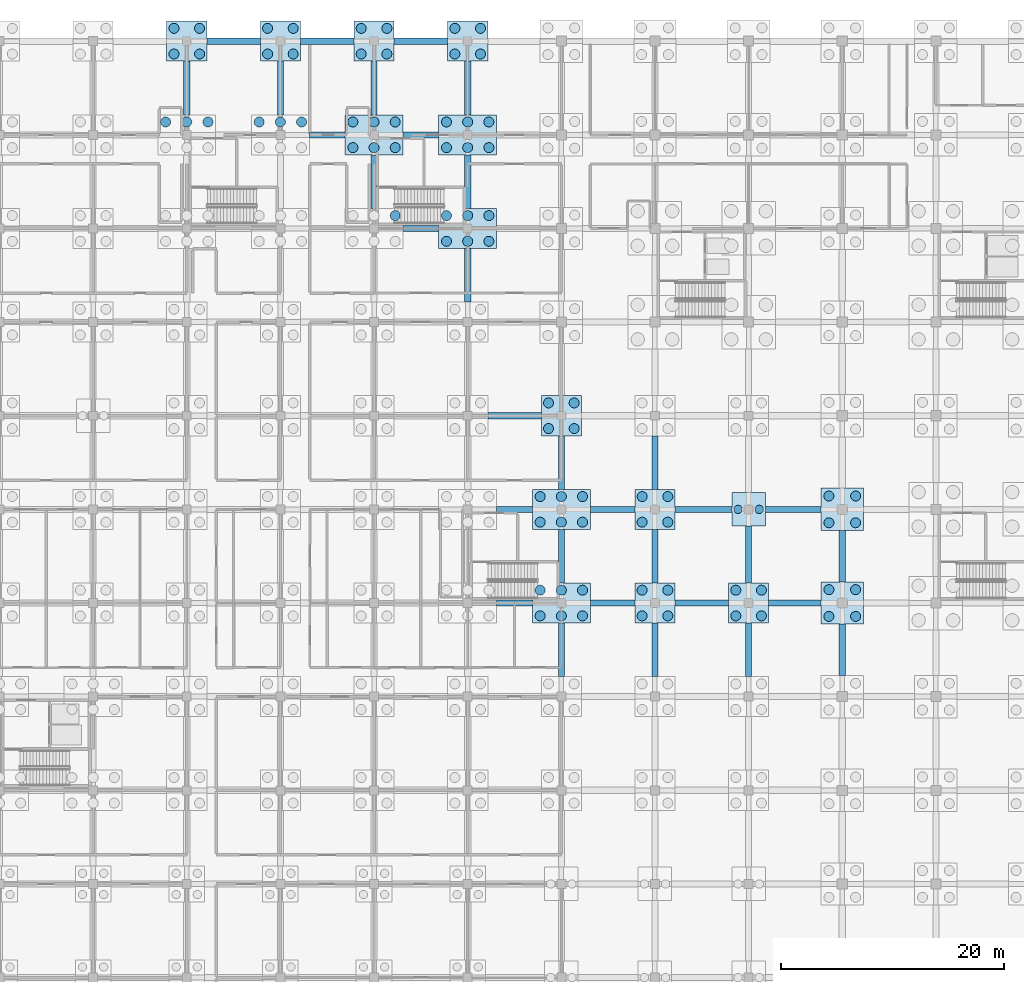
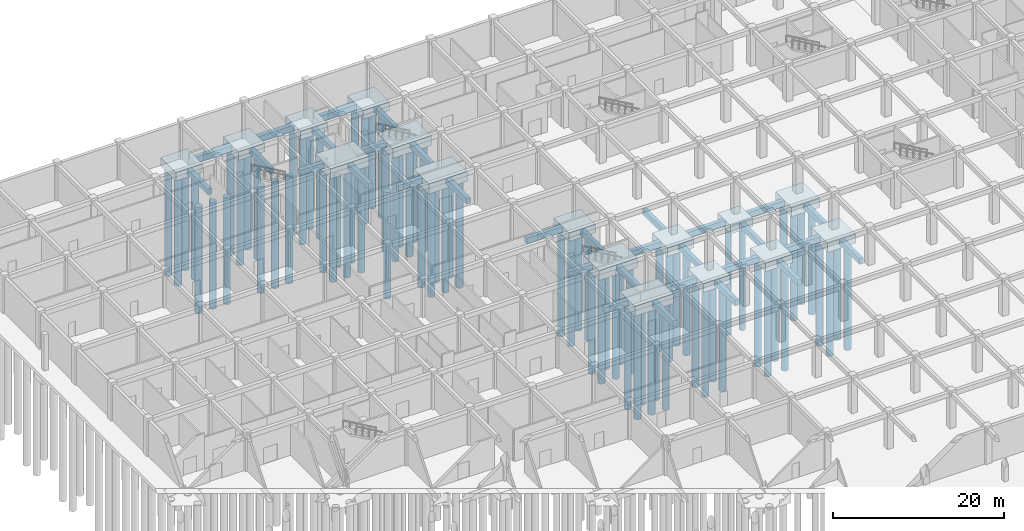
# One storey, part 9 of 65: 79 piles, 48 footings.
"""IFC4 building model written with IfcOpenShell, lengths in metres."""

from ifc_helpers import new_model, si_unit, direction, frame, origin, origin_2d, place, context, subcontext, project, spatial, rectangle, circle, extrude, material, material_profile, profile_set, type_object, element, save


model = new_model("IFC4")

# Units and contexts
model_context = context("Model", 3, precision=1e-05, world=origin(), true_north=direction((0.0, 1.0)))
body_context = subcontext(model_context, "Body", "Model", "MODEL_VIEW")
ifc_project = project(units=[si_unit("LENGTHUNIT", "METRE"), si_unit("AREAUNIT", "SQUARE_METRE"), si_unit("VOLUMEUNIT", "CUBIC_METRE"), si_unit("PLANEANGLEUNIT", "RADIAN"), si_unit("MASSUNIT", "GRAM", prefix="KILO")], contexts=[model_context])

# Site, building, storey
site_placement = place(None, origin())
site = spatial("IfcSite", under=ifc_project, at=site_placement, CompositionType="ELEMENT")
building_placement = place(site_placement, origin())
building = spatial("IfcBuilding", under=site, at=building_placement, Name="Bramfleet General Hospital", CompositionType="ELEMENT")
storey_placement = place(building_placement, frame((0.0, 0.0, -5.39990234375)))
storey = spatial("IfcBuildingStorey", under=building, at=storey_placement, Name="B1", CompositionType="ELEMENT", Elevation=-5.39990234375)

# Footings
ifc_material = material(Name="Concrete C35/45", Category="concrete")
ifc_material_profile_1 = material_profile(ifc_material, rectangle(XDim=0.550048828125, YDim=0.800048828125, at=origin_2d()), Name="RC FB 800x550")
ifc_profile_set_1 = profile_set([ifc_material_profile_1], Name="Concrete C35/45")
footing_type_1 = type_object("IfcFootingType", Name="FTG-FB-01", PredefinedType="FOOTING_BEAM", material=ifc_profile_set_1)
footing_1_placement = place(storey_placement, frame((33.60009765625, 111.0, -0.900146484375), z_axis=(0.0, 1.0, 0.0), x_axis=(-1.0, 0.0, 0.0)))
element("IfcFooting", 1, at=footing_1_placement, inside=storey, type_object=footing_type_1, Name="Foundation Tie Beam Y 04-13", PredefinedType="FOOTING_BEAM", context=body_context, shape_type="SweptSolid", body=[
    extrude(rectangle(XDim=0.550048828125, YDim=0.800048828125, at=origin_2d()), origin(), (0.0, 0.0, 1.0), 4.800048828125),
])
footing_2_placement = place(storey_placement, frame((44.60009765625, 109.199951171875, -0.900146484375), z_axis=(1.0, 0.0, 0.0), x_axis=(0.0, 1.0, 0.0)))
element("IfcFooting", 2, at=footing_2_placement, inside=storey, type_object=footing_type_1, Name="Foundation Tie Beam X 05-13", PredefinedType="FOOTING_BEAM", context=body_context, shape_type="SweptSolid", body=[
    extrude(rectangle(XDim=0.550048828125, YDim=0.800048828125, at=origin_2d()), origin(), (0.0, 0.0, 1.0), 3.199951171875),
])
footing_3_placement = place(storey_placement, frame((42.0, 111.0, -0.900146484375), z_axis=(0.0, 1.0, 0.0), x_axis=(-1.0, 0.0, 0.0)))
element("IfcFooting", 3, at=footing_3_placement, inside=storey, type_object=footing_type_1, Name="Foundation Tie Beam Y 05-13", PredefinedType="FOOTING_BEAM", context=body_context, shape_type="SweptSolid", body=[
    extrude(rectangle(XDim=0.550048828125, YDim=0.800048828125, at=origin_2d()), origin(), (0.0, 0.0, 1.0), 4.800048828125),
])
footing_4_placement = place(storey_placement, frame((53.0, 100.800048828125, -0.900146484375), z_axis=(1.0, 0.0, 0.0), x_axis=(0.0, 1.0, 0.0)))
element("IfcFooting", 4, at=footing_4_placement, inside=storey, type_object=footing_type_1, Name="Foundation Tie Beam X 06-12", PredefinedType="FOOTING_BEAM", context=body_context, shape_type="SweptSolid", body=[
    extrude(rectangle(XDim=0.550048828125, YDim=0.800048828125, at=origin_2d()), origin(), (0.0, 0.0, 1.0), 3.199951171875),
])
footing_5_placement = place(storey_placement, frame((50.39990234375, 102.60009765625, -0.900146484375), z_axis=(0.0, 1.0, 0.0), x_axis=(-1.0, 0.0, 0.0)))
element("IfcFooting", 5, at=footing_5_placement, inside=storey, type_object=footing_type_1, Name="Foundation Tie Beam Y 06-12", PredefinedType="FOOTING_BEAM", context=body_context, shape_type="SweptSolid", body=[
    extrude(rectangle(XDim=0.550048828125, YDim=0.800048828125, at=origin_2d()), origin(), (0.0, 0.0, 1.0), 4.7998046875),
])
footing_6_placement = place(storey_placement, frame((53.0, 109.199951171875, -0.900146484375), z_axis=(1.0, 0.0, 0.0), x_axis=(0.0, 1.0, 0.0)))
element("IfcFooting", 6, at=footing_6_placement, inside=storey, type_object=footing_type_1, Name="Foundation Tie Beam X 06-13", PredefinedType="FOOTING_BEAM", context=body_context, shape_type="SweptSolid", body=[
    extrude(rectangle(XDim=0.550048828125, YDim=0.800048828125, at=origin_2d()), origin(), (0.0, 0.0, 1.0), 3.199951171875),
])
footing_7_placement = place(storey_placement, frame((50.39990234375, 111.0, -0.900146484375), z_axis=(0.0, 1.0, 0.0), x_axis=(-1.0, 0.0, 0.0)))
element("IfcFooting", 7, at=footing_7_placement, inside=storey, type_object=footing_type_1, Name="Foundation Tie Beam Y 06-13", PredefinedType="FOOTING_BEAM", context=body_context, shape_type="SweptSolid", body=[
    extrude(rectangle(XDim=0.550048828125, YDim=0.800048828125, at=origin_2d()), origin(), (0.0, 0.0, 1.0), 4.800048828125),
])
for number, where, z_axis, x_axis, name in (
    (8, (61.39990234375, 67.199951171875, -0.900146484375), (1.0, 0.0, 0.0), (0.0, 1.0, 0.0), "Foundation Tie Beam X 07-08"),
    (9, (61.39990234375, 75.60009765625, -0.900146484375), (1.0, 0.0, 0.0), (0.0, 1.0, 0.0), "Foundation Tie Beam X 07-09"),
):
    element("IfcFooting", number, at=place(storey_placement, frame(where, z_axis=z_axis, x_axis=x_axis)), inside=storey, type_object=footing_type_1, Name=name, PredefinedType="FOOTING_BEAM", context=body_context, shape_type="SweptSolid", body=[
        extrude(rectangle(XDim=0.550048828125, YDim=0.800048828125, at=origin_2d()), origin(), (0.0, 0.0, 1.0), 3.2001953125),
    ])
footing_8_placement = place(storey_placement, frame((60.60009765625, 84.0, -0.900146484375), z_axis=(1.0, 0.0, 0.0), x_axis=(0.0, 1.0, 0.0)))
element("IfcFooting", 10, at=footing_8_placement, inside=storey, type_object=footing_type_1, Name="Foundation Tie Beam X 07-10", PredefinedType="FOOTING_BEAM", context=body_context, shape_type="SweptSolid", body=[
    extrude(rectangle(XDim=0.550048828125, YDim=0.800048828125, at=origin_2d()), origin(), (0.0, 0.0, 1.0), 4.7998046875),
])
footing_9_placement = place(storey_placement, frame((58.800048828125, 94.199951171875, -0.900146484375), z_axis=(0.0, 1.0, 0.0), x_axis=(-1.0, 0.0, 0.0)))
element("IfcFooting", 11, at=footing_9_placement, inside=storey, type_object=footing_type_1, Name="Foundation Tie Beam Y 07-11", PredefinedType="FOOTING_BEAM", context=body_context, shape_type="SweptSolid", body=[
    extrude(rectangle(XDim=0.550048828125, YDim=0.800048828125, at=origin_2d()), origin(), (0.0, 0.0, 1.0), 4.800048828125),
])
footing_10_placement = place(storey_placement, frame((58.800048828125, 102.60009765625, -0.900146484375), z_axis=(0.0, 1.0, 0.0), x_axis=(-1.0, 0.0, 0.0)))
element("IfcFooting", 12, at=footing_10_placement, inside=storey, type_object=footing_type_1, Name="Foundation Tie Beam Y 07-12", PredefinedType="FOOTING_BEAM", context=body_context, shape_type="SweptSolid", body=[
    extrude(rectangle(XDim=0.550048828125, YDim=0.800048828125, at=origin_2d()), origin(), (0.0, 0.0, 1.0), 4.7998046875),
])
footing_11_placement = place(storey_placement, frame((58.800048828125, 111.0, -0.900146484375), z_axis=(0.0, 1.0, 0.0), x_axis=(-1.0, 0.0, 0.0)))
element("IfcFooting", 13, at=footing_11_placement, inside=storey, type_object=footing_type_1, Name="Foundation Tie Beam Y 07-13", PredefinedType="FOOTING_BEAM", context=body_context, shape_type="SweptSolid", body=[
    extrude(rectangle(XDim=0.550048828125, YDim=0.800048828125, at=origin_2d()), origin(), (0.0, 0.0, 1.0), 4.800048828125),
])
footing_12_placement = place(storey_placement, frame((67.199951171875, 60.60009765625, -0.900146484375), z_axis=(0.0, 1.0, 0.0), x_axis=(-1.0, 0.0, 0.0)))
element("IfcFooting", 14, at=footing_12_placement, inside=storey, type_object=footing_type_1, Name="Foundation Tie Beam Y 08-07", PredefinedType="FOOTING_BEAM", context=body_context, shape_type="SweptSolid", body=[
    extrude(rectangle(XDim=0.550048828125, YDim=0.800048828125, at=origin_2d()), origin(), (0.0, 0.0, 1.0), 4.7998046875),
])
footing_13_placement = place(storey_placement, frame((69.800048828125, 67.199951171875, -0.900146484375), z_axis=(1.0, 0.0, 0.0), x_axis=(0.0, 1.0, 0.0)))
element("IfcFooting", 15, at=footing_13_placement, inside=storey, type_object=footing_type_1, Name="Foundation Tie Beam X 08-08", PredefinedType="FOOTING_BEAM", context=body_context, shape_type="SweptSolid", body=[
    extrude(rectangle(XDim=0.550048828125, YDim=0.800048828125, at=origin_2d()), origin(), (0.0, 0.0, 1.0), 4.0),
])
footing_14_placement = place(storey_placement, frame((67.199951171875, 69.0, -0.900146484375), z_axis=(0.0, 1.0, 0.0), x_axis=(-1.0, 0.0, 0.0)))
element("IfcFooting", 16, at=footing_14_placement, inside=storey, type_object=footing_type_1, Name="Foundation Tie Beam Y 08-08", PredefinedType="FOOTING_BEAM", context=body_context, shape_type="SweptSolid", body=[
    extrude(rectangle(XDim=0.550048828125, YDim=0.800048828125, at=origin_2d()), origin(), (0.0, 0.0, 1.0), 4.800048828125),
])
footing_15_placement = place(storey_placement, frame((69.800048828125, 75.60009765625, -0.900146484375), z_axis=(1.0, 0.0, 0.0), x_axis=(0.0, 1.0, 0.0)))
element("IfcFooting", 17, at=footing_15_placement, inside=storey, type_object=footing_type_1, Name="Foundation Tie Beam X 08-09", PredefinedType="FOOTING_BEAM", context=body_context, shape_type="SweptSolid", body=[
    extrude(rectangle(XDim=0.550048828125, YDim=0.800048828125, at=origin_2d()), origin(), (0.0, 0.0, 1.0), 4.0),
])
footing_16_placement = place(storey_placement, frame((67.199951171875, 77.39990234375, -0.900146484375), z_axis=(0.0, 1.0, 0.0), x_axis=(-1.0, 0.0, 0.0)))
element("IfcFooting", 18, at=footing_16_placement, inside=storey, type_object=footing_type_1, Name="Foundation Tie Beam Y 08-09", PredefinedType="FOOTING_BEAM", context=body_context, shape_type="SweptSolid", body=[
    extrude(rectangle(XDim=0.550048828125, YDim=0.800048828125, at=origin_2d()), origin(), (0.0, 0.0, 1.0), 4.800048828125),
])
footing_17_placement = place(storey_placement, frame((75.60009765625, 60.60009765625, -0.900146484375), z_axis=(0.0, 1.0, 0.0), x_axis=(-1.0, 0.0, 0.0)))
element("IfcFooting", 19, at=footing_17_placement, inside=storey, type_object=footing_type_1, Name="Foundation Tie Beam Y 09-07", PredefinedType="FOOTING_BEAM", context=body_context, shape_type="SweptSolid", body=[
    extrude(rectangle(XDim=0.550048828125, YDim=0.800048828125, at=origin_2d()), origin(), (0.0, 0.0, 1.0), 4.7998046875),
])
for number, where, z_axis, x_axis, name in (
    (20, (77.39990234375, 67.199951171875, -0.900146484375), (1.0, 0.0, 0.0), (0.0, 1.0, 0.0), "Foundation Tie Beam X 09-08"),
    (21, (75.60009765625, 69.0, -0.900146484375), (0.0, 1.0, 0.0), (-1.0, 0.0, 0.0), "Foundation Tie Beam Y 09-08"),
):
    element("IfcFooting", number, at=place(storey_placement, frame(where, z_axis=z_axis, x_axis=x_axis)), inside=storey, type_object=footing_type_1, Name=name, PredefinedType="FOOTING_BEAM", context=body_context, shape_type="SweptSolid", body=[
        extrude(rectangle(XDim=0.550048828125, YDim=0.800048828125, at=origin_2d()), origin(), (0.0, 0.0, 1.0), 4.800048828125),
    ])
footing_18_placement = place(storey_placement, frame((77.39990234375, 75.60009765625, -0.900146484375), z_axis=(1.0, 0.0, 0.0), x_axis=(0.0, 1.0, 0.0)))
element("IfcFooting", 22, at=footing_18_placement, inside=storey, type_object=footing_type_1, Name="Foundation Tie Beam X 09-09", PredefinedType="FOOTING_BEAM", context=body_context, shape_type="SweptSolid", body=[
    extrude(rectangle(XDim=0.550048828125, YDim=0.800048828125, at=origin_2d()), origin(), (0.0, 0.0, 1.0), 5.10009765625),
])
footing_19_placement = place(storey_placement, frame((75.60009765625, 77.39990234375, -0.900146484375), z_axis=(0.0, 1.0, 0.0), x_axis=(-1.0, 0.0, 0.0)))
element("IfcFooting", 23, at=footing_19_placement, inside=storey, type_object=footing_type_1, Name="Foundation Tie Beam Y 09-09", PredefinedType="FOOTING_BEAM", context=body_context, shape_type="SweptSolid", body=[
    extrude(rectangle(XDim=0.550048828125, YDim=0.800048828125, at=origin_2d()), origin(), (0.0, 0.0, 1.0), 4.800048828125),
])
footing_20_placement = place(storey_placement, frame((84.0, 60.60009765625, -0.900146484375), z_axis=(0.0, 1.0, 0.0), x_axis=(-1.0, 0.0, 0.0)))
element("IfcFooting", 24, at=footing_20_placement, inside=storey, type_object=footing_type_1, Name="Foundation Tie Beam Y 10-07", PredefinedType="FOOTING_BEAM", context=body_context, shape_type="SweptSolid", body=[
    extrude(rectangle(XDim=0.550048828125, YDim=0.800048828125, at=origin_2d()), origin(), (0.0, 0.0, 1.0), 4.7998046875),
])
footing_21_placement = place(storey_placement, frame((85.800048828125, 67.199951171875, -0.900146484375), z_axis=(1.0, 0.0, 0.0), x_axis=(0.0, 1.0, 0.0)))
element("IfcFooting", 25, at=footing_21_placement, inside=storey, type_object=footing_type_1, Name="Foundation Tie Beam X 10-08", PredefinedType="FOOTING_BEAM", context=body_context, shape_type="SweptSolid", body=[
    extrude(rectangle(XDim=0.550048828125, YDim=0.800048828125, at=origin_2d()), origin(), (0.0, 0.0, 1.0), 4.699951171875),
])
footing_22_placement = place(storey_placement, frame((84.0, 69.0, -0.900146484375), z_axis=(0.0, 1.0, 0.0), x_axis=(-1.0, 0.0, 0.0)))
element("IfcFooting", 26, at=footing_22_placement, inside=storey, type_object=footing_type_1, Name="Foundation Tie Beam Y 10-08", PredefinedType="FOOTING_BEAM", context=body_context, shape_type="SweptSolid", body=[
    extrude(rectangle(XDim=0.550048828125, YDim=0.800048828125, at=origin_2d()), origin(), (0.0, 0.0, 1.0), 5.10009765625),
])
footing_23_placement = place(storey_placement, frame((85.5, 75.60009765625, -0.900146484375), z_axis=(1.0, 0.0, 0.0), x_axis=(0.0, 1.0, 0.0)))
element("IfcFooting", 27, at=footing_23_placement, inside=storey, type_object=footing_type_1, Name="Foundation Tie Beam X 10-09", PredefinedType="FOOTING_BEAM", context=body_context, shape_type="SweptSolid", body=[
    extrude(rectangle(XDim=0.550048828125, YDim=0.800048828125, at=origin_2d()), origin(), (0.0, 0.0, 1.0), 5.0),
])
footing_24_placement = place(storey_placement, frame((92.39990234375, 60.699951171875, -0.900146484375), z_axis=(0.0, 1.0, 0.0), x_axis=(-1.0, 0.0, 0.0)))
element("IfcFooting", 28, at=footing_24_placement, inside=storey, type_object=footing_type_1, Name="Foundation Tie Beam Y 11-07", PredefinedType="FOOTING_BEAM", context=body_context, shape_type="SweptSolid", body=[
    extrude(rectangle(XDim=0.550048828125, YDim=0.800048828125, at=origin_2d()), origin(), (0.0, 0.0, 1.0), 4.60009765625),
])
footing_25_placement = place(storey_placement, frame((92.39990234375, 69.10009765625, -0.900146484375), z_axis=(0.0, 1.0, 0.0), x_axis=(-1.0, 0.0, 0.0)))
element("IfcFooting", 29, at=footing_25_placement, inside=storey, type_object=footing_type_1, Name="Foundation Tie Beam Y 11-08", PredefinedType="FOOTING_BEAM", context=body_context, shape_type="SweptSolid", body=[
    extrude(rectangle(XDim=0.550048828125, YDim=0.800048828125, at=origin_2d()), origin(), (0.0, 0.0, 1.0), 4.599853515625),
])
ifc_material_profile_2 = material_profile(ifc_material, rectangle(XDim=0.60009765625, YDim=0.89990234375, at=origin_2d()), Name="RC FB 900x600")
ifc_profile_set_2 = profile_set([ifc_material_profile_2], Name="Concrete C35/45")
footing_type_2 = type_object("IfcFootingType", Name="FTG-FB-02", PredefinedType="FOOTING_BEAM", material=ifc_profile_set_2)
for number, where, z_axis, x_axis, name in (
    (30, (35.39990234375, 117.60009765625, -0.9501953125), (1.0, 0.0, 0.0), (0.0, 1.0, 0.0), "Foundation Tie Beam X 04-14"),
    (31, (43.800048828125, 117.60009765625, -0.9501953125), (1.0, 0.0, 0.0), (0.0, 1.0, 0.0), "Foundation Tie Beam X 05-14"),
    (32, (52.199951171875, 117.60009765625, -0.9501953125), (1.0, 0.0, 0.0), (0.0, 1.0, 0.0), "Foundation Tie Beam X 06-14"),
):
    element("IfcFooting", number, at=place(storey_placement, frame(where, z_axis=z_axis, x_axis=x_axis)), inside=storey, type_object=footing_type_2, Name=name, PredefinedType="FOOTING_BEAM", context=body_context, shape_type="SweptSolid", body=[
        extrude(rectangle(XDim=0.60009765625, YDim=0.89990234375, at=origin_2d()), origin(), (0.0, 0.0, 1.0), 4.800048828125),
    ])
footing_type_3 = type_object("IfcFootingType", Name="FTG-PC-01", PredefinedType="PILE_CAP", material=ifc_material)
footing_26_placement = place(storey_placement, frame((84.0, 75.60009765625, -1.7001953125), z_axis=(0.0, 0.0, 1.0), x_axis=(1.0, 0.0, 0.0)))
element("IfcFooting", 33, at=footing_26_placement, inside=storey, type_object=footing_type_3, Name="Pile Cap FTG-B1-10-09", PredefinedType="PILE_CAP", context=body_context, shape_type="SweptSolid", body=[
    extrude(rectangle(XDim=3.0, YDim=3.0, at=origin_2d()), origin(), (0.0, 0.0, 1.0), 1.199951171875),
])
footing_type_4 = type_object("IfcFootingType", Name="FTG-PC-03", PredefinedType="PILE_CAP", material=ifc_material)
for number, where, z_axis, x_axis, name in (
    (34, (33.60009765625, 117.60009765625, -1.7001953125), (0.0, 0.0, 1.0), (1.0, 0.0, 0.0), "Pile Cap FTG-B1-04-14"),
    (35, (42.0, 117.60009765625, -1.7001953125), (0.0, 0.0, 1.0), (1.0, 0.0, 0.0), "Pile Cap FTG-B1-05-14"),
    (36, (50.39990234375, 117.60009765625, -1.7001953125), (0.0, 0.0, 1.0), (1.0, 0.0, 0.0), "Pile Cap FTG-B1-06-14"),
    (37, (58.800048828125, 117.60009765625, -1.7001953125), (0.0, 0.0, 1.0), (1.0, 0.0, 0.0), "Pile Cap FTG-B1-07-14"),
    (38, (67.199951171875, 84.0, -1.7001953125), (0.0, 0.0, 1.0), (1.0, 0.0, 0.0), "Pile Cap FTG-B1-08-10"),
    (39, (75.60009765625, 67.199951171875, -1.7001953125), (0.0, 0.0, 1.0), (1.0, 0.0, 0.0), "Pile Cap FTG-B1-09-08"),
    (40, (75.60009765625, 75.60009765625, -1.7001953125), (0.0, 0.0, 1.0), (1.0, 0.0, 0.0), "Pile Cap FTG-B1-09-09"),
    (41, (84.0, 67.199951171875, -1.7001953125), (0.0, 0.0, 1.0), (1.0, 0.0, 0.0), "Pile Cap FTG-B1-10-08"),
):
    element("IfcFooting", number, at=place(storey_placement, frame(where, z_axis=z_axis, x_axis=x_axis)), inside=storey, type_object=footing_type_4, Name=name, PredefinedType="PILE_CAP", context=body_context, shape_type="SweptSolid", body=[
        extrude(rectangle(XDim=3.60009765625, YDim=3.60009765625, at=origin_2d()), origin(), (0.0, 0.0, 1.0), 1.199951171875),
    ])
footing_type_5 = type_object("IfcFootingType", Name="FTG-PC-04", PredefinedType="PILE_CAP", material=ifc_material)
for number, where, z_axis, x_axis, name in (
    (42, (92.39990234375, 67.199951171875, -1.80029296875), (0.0, 0.0, 1.0), (1.0, 0.0, 0.0), "Pile Cap FTG-B1-11-08"),
    (43, (92.39990234375, 75.60009765625, -1.80029296875), (0.0, 0.0, 1.0), (1.0, 0.0, 0.0), "Pile Cap FTG-B1-11-09"),
):
    element("IfcFooting", number, at=place(storey_placement, frame(where, z_axis=z_axis, x_axis=x_axis)), inside=storey, type_object=footing_type_5, Name=name, PredefinedType="PILE_CAP", context=body_context, shape_type="SweptSolid", body=[
        extrude(rectangle(XDim=3.800048828125, YDim=3.800048828125, at=origin_2d()), origin(), (0.0, 0.0, 1.0), 1.300048828125),
    ])
footing_type_6 = type_object("IfcFootingType", Name="FTG-PC-06", PredefinedType="PILE_CAP", material=ifc_material)
for number, where, z_axis, x_axis, name in (
    (44, (50.39990234375, 109.199951171875, -1.900146484375), (0.0, 0.0, 1.0), (1.0, 0.0, 0.0), "Pile Cap FTG-B1-06-13"),
    (45, (58.800048828125, 100.800048828125, -1.900146484375), (0.0, 0.0, 1.0), (1.0, 0.0, 0.0), "Pile Cap FTG-B1-07-12"),
    (46, (58.800048828125, 109.199951171875, -1.900146484375), (0.0, 0.0, 1.0), (1.0, 0.0, 0.0), "Pile Cap FTG-B1-07-13"),
    (47, (67.199951171875, 67.199951171875, -1.900146484375), (0.0, 0.0, 1.0), (1.0, 0.0, 0.0), "Pile Cap FTG-B1-08-08"),
    (48, (67.199951171875, 75.60009765625, -1.900146484375), (0.0, 0.0, 1.0), (1.0, 0.0, 0.0), "Pile Cap FTG-B1-08-09"),
):
    element("IfcFooting", number, at=place(storey_placement, frame(where, z_axis=z_axis, x_axis=x_axis)), inside=storey, type_object=footing_type_6, Name=name, PredefinedType="PILE_CAP", context=body_context, shape_type="SweptSolid", body=[
        extrude(rectangle(XDim=5.199951171875, YDim=3.60009765625, at=origin_2d()), origin(), (0.0, 0.0, 1.0), 1.39990234375),
    ])

# Piles
ifc_material_profile_3 = material_profile(ifc_material, circle(Radius=0.375, at=origin_2d()), Name="PILE BORED D750")
ifc_profile_set_3 = profile_set([ifc_material_profile_3], Name="Concrete C35/45")
pile_type_1 = type_object("IfcPileType", Name="PILE-D750", PredefinedType="BORED", material=ifc_profile_set_3)
for number, where, z_axis, x_axis, name in (
    (49, (83.050048828125, 75.60009765625, -1.60009765625), (0.0, 0.0, -1.0), (1.0, 0.0, 0.0), "Bored Pile PILE-B1-10-09-1"),
    (50, (84.949951171875, 75.60009765625, -1.60009765625), (0.0, 0.0, -1.0), (1.0, 0.0, 0.0), "Bored Pile PILE-B1-10-09-2"),
):
    element("IfcPile", number, at=place(storey_placement, frame(where, z_axis=z_axis, x_axis=x_axis)), inside=storey, type_object=pile_type_1, Name=name, PredefinedType="BORED", context=body_context, shape_type="SweptSolid", body=[
        extrude(circle(Radius=0.375, at=origin_2d()), origin(), (0.0, 0.0, 1.0), 15.39990234375),
    ])
ifc_material_profile_4 = material_profile(ifc_material, circle(Radius=0.449951171875, at=origin_2d()), Name="PILE BORED D900")
ifc_profile_set_4 = profile_set([ifc_material_profile_4], Name="Concrete C35/45")
pile_type_2 = type_object("IfcPileType", Name="PILE-D900", PredefinedType="BORED", material=ifc_profile_set_4)
for number, where, z_axis, x_axis, name in (
    (51, (31.699951171875, 110.35009765625, -1.800048828125), (0.0, 0.0, -1.0), (1.0, 0.0, 0.0), "Bored Pile PILE-B1-04-13-4"),
    (52, (33.60009765625, 110.35009765625, -1.800048828125), (0.0, 0.0, -1.0), (1.0, 0.0, 0.0), "Bored Pile PILE-B1-04-13-5"),
    (53, (35.5, 110.35009765625, -1.800048828125), (0.0, 0.0, -1.0), (1.0, 0.0, 0.0), "Bored Pile PILE-B1-04-13-6"),
):
    element("IfcPile", number, at=place(storey_placement, frame(where, z_axis=z_axis, x_axis=x_axis)), inside=storey, type_object=pile_type_2, Name=name, PredefinedType="BORED", context=body_context, shape_type="SweptSolid", body=[
        extrude(circle(Radius=0.449951171875, at=origin_2d()), origin(), (0.0, 0.0, 1.0), 15.199951171875),
    ])
for number, where, z_axis, x_axis, name in (
    (54, (32.449951171875, 116.449951171875, -1.60009765625), (0.0, 0.0, -1.0), (1.0, 0.0, 0.0), "Bored Pile PILE-B1-04-14-1"),
    (55, (34.75, 116.449951171875, -1.60009765625), (0.0, 0.0, -1.0), (1.0, 0.0, 0.0), "Bored Pile PILE-B1-04-14-2"),
    (56, (32.449951171875, 118.75, -1.60009765625), (0.0, 0.0, -1.0), (1.0, 0.0, 0.0), "Bored Pile PILE-B1-04-14-3"),
    (57, (34.75, 118.75, -1.60009765625), (0.0, 0.0, -1.0), (1.0, 0.0, 0.0), "Bored Pile PILE-B1-04-14-4"),
):
    element("IfcPile", number, at=place(storey_placement, frame(where, z_axis=z_axis, x_axis=x_axis)), inside=storey, type_object=pile_type_2, Name=name, PredefinedType="BORED", context=body_context, shape_type="SweptSolid", body=[
        extrude(circle(Radius=0.449951171875, at=origin_2d()), origin(), (0.0, 0.0, 1.0), 15.39990234375),
    ])
for number, where, z_axis, x_axis, name in (
    (58, (40.10009765625, 110.35009765625, -1.800048828125), (0.0, 0.0, -1.0), (1.0, 0.0, 0.0), "Bored Pile PILE-B1-05-13-4"),
    (59, (42.0, 110.35009765625, -1.800048828125), (0.0, 0.0, -1.0), (1.0, 0.0, 0.0), "Bored Pile PILE-B1-05-13-5"),
    (60, (43.89990234375, 110.35009765625, -1.800048828125), (0.0, 0.0, -1.0), (1.0, 0.0, 0.0), "Bored Pile PILE-B1-05-13-6"),
):
    element("IfcPile", number, at=place(storey_placement, frame(where, z_axis=z_axis, x_axis=x_axis)), inside=storey, type_object=pile_type_2, Name=name, PredefinedType="BORED", context=body_context, shape_type="SweptSolid", body=[
        extrude(circle(Radius=0.449951171875, at=origin_2d()), origin(), (0.0, 0.0, 1.0), 15.199951171875),
    ])
for number, where, z_axis, x_axis, name in (
    (61, (40.85009765625, 116.449951171875, -1.60009765625), (0.0, 0.0, -1.0), (1.0, 0.0, 0.0), "Bored Pile PILE-B1-05-14-1"),
    (62, (43.14990234375, 116.449951171875, -1.60009765625), (0.0, 0.0, -1.0), (1.0, 0.0, 0.0), "Bored Pile PILE-B1-05-14-2"),
    (63, (40.85009765625, 118.75, -1.60009765625), (0.0, 0.0, -1.0), (1.0, 0.0, 0.0), "Bored Pile PILE-B1-05-14-3"),
    (64, (43.14990234375, 118.75, -1.60009765625), (0.0, 0.0, -1.0), (1.0, 0.0, 0.0), "Bored Pile PILE-B1-05-14-4"),
):
    element("IfcPile", number, at=place(storey_placement, frame(where, z_axis=z_axis, x_axis=x_axis)), inside=storey, type_object=pile_type_2, Name=name, PredefinedType="BORED", context=body_context, shape_type="SweptSolid", body=[
        extrude(circle(Radius=0.449951171875, at=origin_2d()), origin(), (0.0, 0.0, 1.0), 15.39990234375),
    ])
for number, where, z_axis, x_axis, name in (
    (65, (52.300048828125, 101.949951171875, -1.800048828125), (0.0, 0.0, -1.0), (1.0, 0.0, 0.0), "Bored Pile PILE-B1-06-12-6"),
    (66, (48.5, 108.050048828125, -1.800048828125), (0.0, 0.0, -1.0), (1.0, 0.0, 0.0), "Bored Pile PILE-B1-06-13-1"),
    (67, (50.39990234375, 108.050048828125, -1.800048828125), (0.0, 0.0, -1.0), (1.0, 0.0, 0.0), "Bored Pile PILE-B1-06-13-2"),
    (68, (52.300048828125, 108.050048828125, -1.800048828125), (0.0, 0.0, -1.0), (1.0, 0.0, 0.0), "Bored Pile PILE-B1-06-13-3"),
    (69, (48.5, 110.35009765625, -1.800048828125), (0.0, 0.0, -1.0), (1.0, 0.0, 0.0), "Bored Pile PILE-B1-06-13-4"),
    (70, (50.39990234375, 110.35009765625, -1.800048828125), (0.0, 0.0, -1.0), (1.0, 0.0, 0.0), "Bored Pile PILE-B1-06-13-5"),
    (71, (52.300048828125, 110.35009765625, -1.800048828125), (0.0, 0.0, -1.0), (1.0, 0.0, 0.0), "Bored Pile PILE-B1-06-13-6"),
):
    element("IfcPile", number, at=place(storey_placement, frame(where, z_axis=z_axis, x_axis=x_axis)), inside=storey, type_object=pile_type_2, Name=name, PredefinedType="BORED", context=body_context, shape_type="SweptSolid", body=[
        extrude(circle(Radius=0.449951171875, at=origin_2d()), origin(), (0.0, 0.0, 1.0), 15.199951171875),
    ])
for number, where, z_axis, x_axis, name in (
    (72, (49.25, 116.449951171875, -1.60009765625), (0.0, 0.0, -1.0), (1.0, 0.0, 0.0), "Bored Pile PILE-B1-06-14-1"),
    (73, (51.550048828125, 116.449951171875, -1.60009765625), (0.0, 0.0, -1.0), (1.0, 0.0, 0.0), "Bored Pile PILE-B1-06-14-2"),
    (74, (49.25, 118.75, -1.60009765625), (0.0, 0.0, -1.0), (1.0, 0.0, 0.0), "Bored Pile PILE-B1-06-14-3"),
    (75, (51.550048828125, 118.75, -1.60009765625), (0.0, 0.0, -1.0), (1.0, 0.0, 0.0), "Bored Pile PILE-B1-06-14-4"),
):
    element("IfcPile", number, at=place(storey_placement, frame(where, z_axis=z_axis, x_axis=x_axis)), inside=storey, type_object=pile_type_2, Name=name, PredefinedType="BORED", context=body_context, shape_type="SweptSolid", body=[
        extrude(circle(Radius=0.449951171875, at=origin_2d()), origin(), (0.0, 0.0, 1.0), 15.39990234375),
    ])
for number, where, z_axis, x_axis, name in (
    (76, (56.89990234375, 99.64990234375, -1.800048828125), (0.0, 0.0, -1.0), (1.0, 0.0, 0.0), "Bored Pile PILE-B1-07-12-1"),
    (77, (58.800048828125, 99.64990234375, -1.800048828125), (0.0, 0.0, -1.0), (1.0, 0.0, 0.0), "Bored Pile PILE-B1-07-12-2"),
    (78, (60.699951171875, 99.64990234375, -1.800048828125), (0.0, 0.0, -1.0), (1.0, 0.0, 0.0), "Bored Pile PILE-B1-07-12-3"),
    (79, (56.89990234375, 101.949951171875, -1.800048828125), (0.0, 0.0, -1.0), (1.0, 0.0, 0.0), "Bored Pile PILE-B1-07-12-4"),
    (80, (58.800048828125, 101.949951171875, -1.800048828125), (0.0, 0.0, -1.0), (1.0, 0.0, 0.0), "Bored Pile PILE-B1-07-12-5"),
    (81, (60.699951171875, 101.949951171875, -1.800048828125), (0.0, 0.0, -1.0), (1.0, 0.0, 0.0), "Bored Pile PILE-B1-07-12-6"),
    (82, (56.89990234375, 108.050048828125, -1.800048828125), (0.0, 0.0, -1.0), (1.0, 0.0, 0.0), "Bored Pile PILE-B1-07-13-1"),
    (83, (58.800048828125, 108.050048828125, -1.800048828125), (0.0, 0.0, -1.0), (1.0, 0.0, 0.0), "Bored Pile PILE-B1-07-13-2"),
    (84, (60.699951171875, 108.050048828125, -1.800048828125), (0.0, 0.0, -1.0), (1.0, 0.0, 0.0), "Bored Pile PILE-B1-07-13-3"),
    (85, (56.89990234375, 110.35009765625, -1.800048828125), (0.0, 0.0, -1.0), (1.0, 0.0, 0.0), "Bored Pile PILE-B1-07-13-4"),
    (86, (58.800048828125, 110.35009765625, -1.800048828125), (0.0, 0.0, -1.0), (1.0, 0.0, 0.0), "Bored Pile PILE-B1-07-13-5"),
    (87, (60.699951171875, 110.35009765625, -1.800048828125), (0.0, 0.0, -1.0), (1.0, 0.0, 0.0), "Bored Pile PILE-B1-07-13-6"),
):
    element("IfcPile", number, at=place(storey_placement, frame(where, z_axis=z_axis, x_axis=x_axis)), inside=storey, type_object=pile_type_2, Name=name, PredefinedType="BORED", context=body_context, shape_type="SweptSolid", body=[
        extrude(circle(Radius=0.449951171875, at=origin_2d()), origin(), (0.0, 0.0, 1.0), 15.199951171875),
    ])
for number, where, z_axis, x_axis, name in (
    (88, (57.64990234375, 116.449951171875, -1.60009765625), (0.0, 0.0, -1.0), (1.0, 0.0, 0.0), "Bored Pile PILE-B1-07-14-1"),
    (89, (59.949951171875, 116.449951171875, -1.60009765625), (0.0, 0.0, -1.0), (1.0, 0.0, 0.0), "Bored Pile PILE-B1-07-14-2"),
    (90, (57.64990234375, 118.75, -1.60009765625), (0.0, 0.0, -1.0), (1.0, 0.0, 0.0), "Bored Pile PILE-B1-07-14-3"),
    (91, (59.949951171875, 118.75, -1.60009765625), (0.0, 0.0, -1.0), (1.0, 0.0, 0.0), "Bored Pile PILE-B1-07-14-4"),
):
    element("IfcPile", number, at=place(storey_placement, frame(where, z_axis=z_axis, x_axis=x_axis)), inside=storey, type_object=pile_type_2, Name=name, PredefinedType="BORED", context=body_context, shape_type="SweptSolid", body=[
        extrude(circle(Radius=0.449951171875, at=origin_2d()), origin(), (0.0, 0.0, 1.0), 15.39990234375),
    ])
for number, where, z_axis, x_axis, name in (
    (92, (65.300048828125, 66.050048828125, -1.800048828125), (0.0, 0.0, -1.0), (1.0, 0.0, 0.0), "Bored Pile PILE-B1-08-08-1"),
    (93, (67.199951171875, 66.050048828125, -1.800048828125), (0.0, 0.0, -1.0), (1.0, 0.0, 0.0), "Bored Pile PILE-B1-08-08-2"),
    (94, (69.10009765625, 66.050048828125, -1.800048828125), (0.0, 0.0, -1.0), (1.0, 0.0, 0.0), "Bored Pile PILE-B1-08-08-3"),
    (95, (65.300048828125, 68.35009765625, -1.800048828125), (0.0, 0.0, -1.0), (1.0, 0.0, 0.0), "Bored Pile PILE-B1-08-08-4"),
    (96, (67.199951171875, 68.35009765625, -1.800048828125), (0.0, 0.0, -1.0), (1.0, 0.0, 0.0), "Bored Pile PILE-B1-08-08-5"),
    (97, (69.10009765625, 68.35009765625, -1.800048828125), (0.0, 0.0, -1.0), (1.0, 0.0, 0.0), "Bored Pile PILE-B1-08-08-6"),
    (98, (65.300048828125, 74.449951171875, -1.800048828125), (0.0, 0.0, -1.0), (1.0, 0.0, 0.0), "Bored Pile PILE-B1-08-09-1"),
    (99, (67.199951171875, 74.449951171875, -1.800048828125), (0.0, 0.0, -1.0), (1.0, 0.0, 0.0), "Bored Pile PILE-B1-08-09-2"),
    (100, (69.10009765625, 74.449951171875, -1.800048828125), (0.0, 0.0, -1.0), (1.0, 0.0, 0.0), "Bored Pile PILE-B1-08-09-3"),
    (101, (65.300048828125, 76.75, -1.800048828125), (0.0, 0.0, -1.0), (1.0, 0.0, 0.0), "Bored Pile PILE-B1-08-09-4"),
    (102, (67.199951171875, 76.75, -1.800048828125), (0.0, 0.0, -1.0), (1.0, 0.0, 0.0), "Bored Pile PILE-B1-08-09-5"),
    (103, (69.10009765625, 76.75, -1.800048828125), (0.0, 0.0, -1.0), (1.0, 0.0, 0.0), "Bored Pile PILE-B1-08-09-6"),
):
    element("IfcPile", number, at=place(storey_placement, frame(where, z_axis=z_axis, x_axis=x_axis)), inside=storey, type_object=pile_type_2, Name=name, PredefinedType="BORED", context=body_context, shape_type="SweptSolid", body=[
        extrude(circle(Radius=0.449951171875, at=origin_2d()), origin(), (0.0, 0.0, 1.0), 15.199951171875),
    ])
for number, where, z_axis, x_axis, name in (
    (104, (66.050048828125, 82.85009765625, -1.60009765625), (0.0, 0.0, -1.0), (1.0, 0.0, 0.0), "Bored Pile PILE-B1-08-10-1"),
    (105, (68.35009765625, 82.85009765625, -1.60009765625), (0.0, 0.0, -1.0), (1.0, 0.0, 0.0), "Bored Pile PILE-B1-08-10-2"),
    (106, (66.050048828125, 85.14990234375, -1.60009765625), (0.0, 0.0, -1.0), (1.0, 0.0, 0.0), "Bored Pile PILE-B1-08-10-3"),
    (107, (68.35009765625, 85.14990234375, -1.60009765625), (0.0, 0.0, -1.0), (1.0, 0.0, 0.0), "Bored Pile PILE-B1-08-10-4"),
    (108, (74.449951171875, 66.050048828125, -1.60009765625), (0.0, 0.0, -1.0), (1.0, 0.0, 0.0), "Bored Pile PILE-B1-09-08-1"),
    (109, (76.75, 66.050048828125, -1.60009765625), (0.0, 0.0, -1.0), (1.0, 0.0, 0.0), "Bored Pile PILE-B1-09-08-2"),
    (110, (74.449951171875, 68.35009765625, -1.60009765625), (0.0, 0.0, -1.0), (1.0, 0.0, 0.0), "Bored Pile PILE-B1-09-08-3"),
    (111, (76.75, 68.35009765625, -1.60009765625), (0.0, 0.0, -1.0), (1.0, 0.0, 0.0), "Bored Pile PILE-B1-09-08-4"),
    (112, (74.449951171875, 74.449951171875, -1.60009765625), (0.0, 0.0, -1.0), (1.0, 0.0, 0.0), "Bored Pile PILE-B1-09-09-1"),
    (113, (76.75, 74.449951171875, -1.60009765625), (0.0, 0.0, -1.0), (1.0, 0.0, 0.0), "Bored Pile PILE-B1-09-09-2"),
    (114, (74.449951171875, 76.75, -1.60009765625), (0.0, 0.0, -1.0), (1.0, 0.0, 0.0), "Bored Pile PILE-B1-09-09-3"),
    (115, (76.75, 76.75, -1.60009765625), (0.0, 0.0, -1.0), (1.0, 0.0, 0.0), "Bored Pile PILE-B1-09-09-4"),
    (116, (82.85009765625, 66.050048828125, -1.60009765625), (0.0, 0.0, -1.0), (1.0, 0.0, 0.0), "Bored Pile PILE-B1-10-08-1"),
    (117, (85.14990234375, 66.050048828125, -1.60009765625), (0.0, 0.0, -1.0), (1.0, 0.0, 0.0), "Bored Pile PILE-B1-10-08-2"),
    (118, (82.85009765625, 68.35009765625, -1.60009765625), (0.0, 0.0, -1.0), (1.0, 0.0, 0.0), "Bored Pile PILE-B1-10-08-3"),
    (119, (85.14990234375, 68.35009765625, -1.60009765625), (0.0, 0.0, -1.0), (1.0, 0.0, 0.0), "Bored Pile PILE-B1-10-08-4"),
):
    element("IfcPile", number, at=place(storey_placement, frame(where, z_axis=z_axis, x_axis=x_axis)), inside=storey, type_object=pile_type_2, Name=name, PredefinedType="BORED", context=body_context, shape_type="SweptSolid", body=[
        extrude(circle(Radius=0.449951171875, at=origin_2d()), origin(), (0.0, 0.0, 1.0), 15.39990234375),
    ])
for number, where, z_axis, x_axis, name in (
    (120, (91.199951171875, 66.0, -1.7001953125), (0.0, 0.0, -1.0), (1.0, 0.0, 0.0), "Bored Pile PILE-B1-11-08-1"),
    (121, (93.60009765625, 66.0, -1.7001953125), (0.0, 0.0, -1.0), (1.0, 0.0, 0.0), "Bored Pile PILE-B1-11-08-2"),
    (122, (91.199951171875, 68.39990234375, -1.7001953125), (0.0, 0.0, -1.0), (1.0, 0.0, 0.0), "Bored Pile PILE-B1-11-08-3"),
    (123, (93.60009765625, 68.39990234375, -1.7001953125), (0.0, 0.0, -1.0), (1.0, 0.0, 0.0), "Bored Pile PILE-B1-11-08-4"),
    (124, (91.199951171875, 74.39990234375, -1.7001953125), (0.0, 0.0, -1.0), (1.0, 0.0, 0.0), "Bored Pile PILE-B1-11-09-1"),
    (125, (93.60009765625, 74.39990234375, -1.7001953125), (0.0, 0.0, -1.0), (1.0, 0.0, 0.0), "Bored Pile PILE-B1-11-09-2"),
    (126, (91.199951171875, 76.800048828125, -1.7001953125), (0.0, 0.0, -1.0), (1.0, 0.0, 0.0), "Bored Pile PILE-B1-11-09-3"),
    (127, (93.60009765625, 76.800048828125, -1.7001953125), (0.0, 0.0, -1.0), (1.0, 0.0, 0.0), "Bored Pile PILE-B1-11-09-4"),
):
    element("IfcPile", number, at=place(storey_placement, frame(where, z_axis=z_axis, x_axis=x_axis)), inside=storey, type_object=pile_type_2, Name=name, PredefinedType="BORED", context=body_context, shape_type="SweptSolid", body=[
        extrude(circle(Radius=0.449951171875, at=origin_2d()), origin(), (0.0, 0.0, 1.0), 15.300048828125),
    ])

save(model, "model.ifc")
